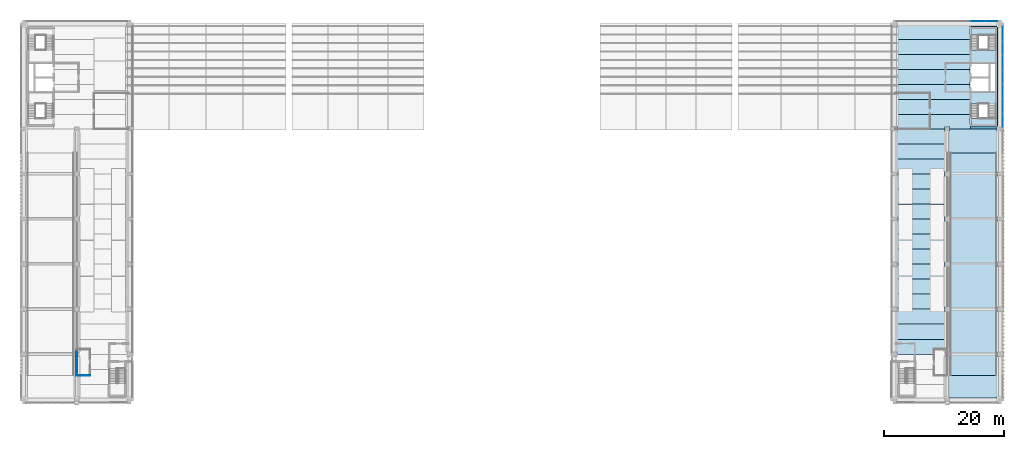
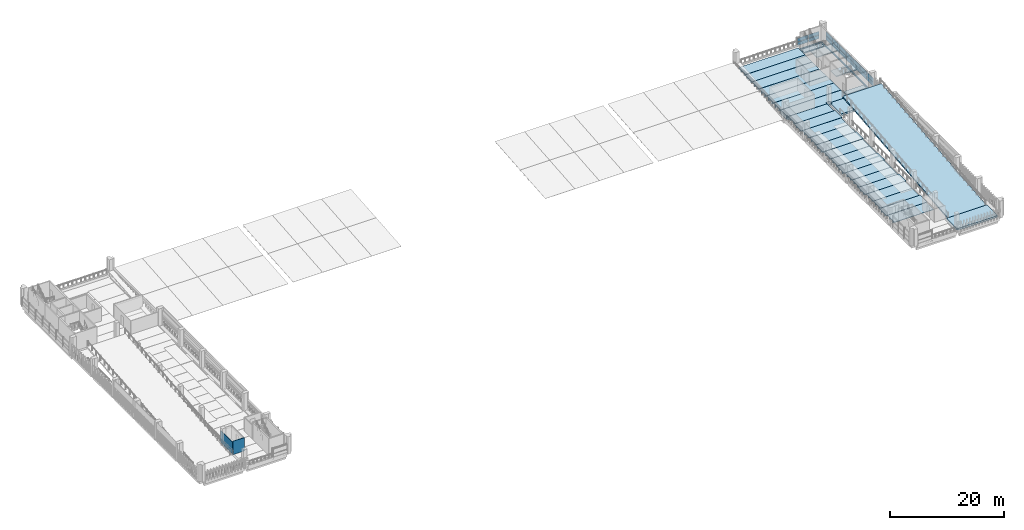
# One storey, part 11 of 24: 30 slabs, 18 plates, 2 walls, 4 elements without a shape of their own.
"""IFC4 building model written with IfcOpenShell, lengths in metres."""

from ifc_helpers import new_model, si_unit, direction, frame, frame_2d, origin, origin_2d, place, context, subcontext, project, spatial, polyline, rectangle, outline, extrude, material, layer, layer_set, material_profile, profile_set, type_object, element, aggregate, save


model = new_model("IFC4")

# Units and contexts
model_context = context("Model", 3, precision=1e-05, world=origin(), true_north=direction((0.0, 1.0)))
body_context = subcontext(model_context, "Body", "Model", "MODEL_VIEW")
ifc_project = project(units=[si_unit("LENGTHUNIT", "METRE"), si_unit("AREAUNIT", "SQUARE_METRE"), si_unit("VOLUMEUNIT", "CUBIC_METRE"), si_unit("PLANEANGLEUNIT", "RADIAN"), si_unit("MASSUNIT", "GRAM", prefix="KILO")], contexts=[model_context])

# Site, building, storey
site_placement = place(None, origin())
site = spatial("IfcSite", under=ifc_project, at=site_placement, CompositionType="ELEMENT")
building_placement = place(site_placement, origin())
building = spatial("IfcBuilding", under=site, at=building_placement, Name="Cour d'Honneur Mobility Palace", CompositionType="ELEMENT")
storey_placement = place(building_placement, frame((0.0, 0.0, 26.699951171875)))
storey = spatial("IfcBuildingStorey", under=building, at=storey_placement, Name="L07", CompositionType="ELEMENT", Elevation=26.699951171875)

# Slabs
ifc_material_1 = material(Name="Concrete C50", Category="concrete")
ifc_layer_1 = layer(ifc_material_1, 0.25)
ifc_layer_set_1 = layer_set([ifc_layer_1], Name="Concrete C50")
slab_type_1 = type_object("IfcSlabType", Name="Cast-in-place Slab 250", PredefinedType="FLOOR", material=ifc_layer_set_1)
slab_1_placement = place(storey_placement, frame((0.0, 0.0, -0.25)))
element("IfcSlab", 1, at=slab_1_placement, inside=storey, type_object=slab_type_1, Name="Cast-in-place slab S1 L07 core", PredefinedType="FLOOR", context=body_context, shape_type="SweptSolid", body=[
    extrude(outline(polyline([(161.89990234375, 62.0), (162.050048828125, 62.0), (162.050048828125, 45.39990234375), (161.89990234375, 45.39990234375), (161.89990234375, 45.0), (157.5, 45.0), (157.5, 45.449951171875), (161.85009765625, 45.449951171875), (161.85009765625, 61.949951171875), (157.5, 61.949951171875), (157.5, 62.125), (161.89990234375, 62.125), (161.89990234375, 62.0)])), origin(), (0.0, 0.0, 1.0), 0.25),
])
slab_2_placement = place(storey_placement, frame((0.0, 0.0, -0.25)))
element("IfcSlab", 2, at=slab_2_placement, inside=storey, type_object=slab_type_1, Name="Cast-in-place slab S1 L07 core", PredefinedType="FLOOR", context=body_context, shape_type="SweptSolid", body=[
    extrude(outline(polyline([(157.625, 46.77490234375), (161.60009765625, 46.77490234375), (161.60009765625, 45.699951171875), (157.625, 45.699951171875), (157.625, 46.77490234375)])), origin(), (0.0, 0.0, 1.0), 0.25),
])
slab_3_placement = place(storey_placement, frame((0.0, 0.0, -0.25)))
element("IfcSlab", 3, at=slab_3_placement, inside=storey, type_object=slab_type_1, Name="Cast-in-place slab S1 L07 core", PredefinedType="FLOOR", context=body_context, shape_type="SweptSolid", body=[
    extrude(outline(polyline([(161.60009765625, 60.625), (157.625, 60.625), (157.625, 61.699951171875), (161.60009765625, 61.699951171875), (161.60009765625, 60.625)])), origin(), (0.0, 0.0, 1.0), 0.25),
])
ifc_material_2 = material(Name="Concrete C50", Category="concrete")
ifc_layer_2 = layer(ifc_material_2, 0.39990234375)
ifc_layer_set_2 = layer_set([ifc_layer_2], Name="Concrete C50")
slab_type_2 = type_object("IfcSlabType", Name="Cast-in-place Slab 400", PredefinedType="LANDING", material=ifc_layer_set_2)
slab_4_placement = place(storey_placement, frame((0.0, 0.0, -0.39990234375)))
element("IfcSlab", 4, at=slab_4_placement, inside=storey, type_object=slab_type_2, Name="Cast-in-place slab S3 L07 landing", PredefinedType="LANDING", context=body_context, shape_type="SweptSolid", body=[
    extrude(outline(polyline([(161.89990234375, 0.39990234375), (161.89990234375, 0.22509765625), (154.0, 0.22509765625), (154.0, 0.39990234375), (153.800048828125, 0.39990234375), (153.800048828125, 4.0), (162.10009765625, 4.0), (162.10009765625, 0.39990234375), (161.89990234375, 0.39990234375)])), origin(), (0.0, 0.0, 1.0), 0.39990234375),
])
slab_5_placement = place(storey_placement, frame((0.0, 0.0, -0.39990234375)))
element("IfcSlab", 5, at=slab_5_placement, inside=storey, type_object=slab_type_2, Name="Cast-in-place slab S3 L07 landing", PredefinedType="LANDING", context=body_context, shape_type="SweptSolid", body=[
    extrude(outline(polyline([(162.10009765625, 44.60009765625), (162.10009765625, 41.0), (153.800048828125, 41.0), (153.800048828125, 44.60009765625), (154.0, 44.60009765625), (154.0, 45.0), (161.89990234375, 45.0), (161.89990234375, 44.60009765625), (162.10009765625, 44.60009765625)])), origin(), (0.0, 0.0, 1.0), 0.39990234375),
])
ifc_material_3 = material(Name="Concrete C50", Category="concrete")
ifc_layer_3 = layer(ifc_material_3, 0.800048828125)
ifc_layer_set_3 = layer_set([ifc_layer_3], Name="Concrete C50")
slab_type_3 = type_object("IfcSlabType", Name="Cast-in-place Slab 800", PredefinedType="FLOOR", material=ifc_layer_set_3)
slab_6_placement = place(storey_placement, frame((0.0, 0.0, -0.800048828125)))
element("IfcSlab", 6, at=slab_6_placement, inside=storey, type_object=slab_type_3, Name="Cast-in-place slab S2 L07 closure", PredefinedType="FLOOR", context=body_context, shape_type="SweptSolid", body=[
    extrude(outline(polyline([(154.0, 45.39990234375), (153.199951171875, 45.39990234375), (153.199951171875, 45.0), (145.300048828125, 45.0), (145.300048828125, 45.39990234375), (145.14990234375, 45.39990234375), (145.14990234375, 47.39990234375), (157.375, 47.39990234375), (157.375, 45.449951171875), (157.5, 45.449951171875), (157.5, 45.0), (154.0, 45.0), (154.0, 45.39990234375)])), origin(), (0.0, 0.0, 1.0), 0.800048828125),
])

# Curtain wall, plates
ifc_material_4 = material(Name="Aluminium and glass", Category="aluminium")
ifc_layer_4 = layer(ifc_material_4, 0.10009765625)
ifc_layer_set_4 = layer_set([ifc_layer_4], Name="Aluminium and glass")
curtain_wall_type = type_object("IfcCurtainWallType", Name="Curtain wall run", PredefinedType="NOTDEFINED", material=ifc_layer_set_4)
curtain_wall_1_placement = place(storey_placement, origin())
curtain_wall_1 = element("IfcCurtainWall", 7, at=curtain_wall_1_placement, inside=storey, type_object=curtain_wall_type, Name="Curtain wall CW-95", PredefinedType="NOTDEFINED")
ifc_material_5 = material(Name="Double glazing", Category="glass")
ifc_layer_5 = layer(ifc_material_5, 0.028076171875)
ifc_layer_set_5 = layer_set([ifc_layer_5], Name="Double glazing")
plate_type = type_object("IfcPlateType", Name="Curtain wall panel", PredefinedType="CURTAIN_PANEL", material=ifc_layer_set_5)
plate_1_placement = place(storey_placement, frame((162.85009765625, 46.514892578125, 0.06005859375), z_axis=(0.0, 0.0, 1.0), x_axis=(0.0, 1.0, 0.0)))
plate_1 = element("IfcPlate", 8, at=plate_1_placement, type_object=plate_type, Name="CW-95 panel 1.1", PredefinedType="CURTAIN_PANEL", context=body_context, shape_type="SweptSolid", body=[
    extrude(rectangle(XDim=2.31005859375, YDim=0.028076171875, at=origin_2d()), origin(), (0.0, 0.0, 1.0), 0.860107421875),
])
plate_2_placement = place(storey_placement, frame((162.85009765625, 46.514892578125, 0.97998046875), z_axis=(0.0, 0.0, 1.0), x_axis=(0.0, 1.0, 0.0)))
plate_2 = element("IfcPlate", 9, at=plate_2_placement, type_object=plate_type, Name="CW-95 panel 1.2", PredefinedType="CURTAIN_PANEL", context=body_context, shape_type="SweptSolid", body=[
    extrude(rectangle(XDim=2.31005859375, YDim=0.028076171875, at=origin_2d()), origin(), (0.0, 0.0, 1.0), 0.860107421875),
])
plate_3_placement = place(storey_placement, frame((162.85009765625, 48.89990234375, 0.06005859375), z_axis=(0.0, 0.0, 1.0), x_axis=(0.0, 1.0, 0.0)))
plate_3 = element("IfcPlate", 10, at=plate_3_placement, type_object=plate_type, Name="CW-95 panel 2.1", PredefinedType="CURTAIN_PANEL", context=body_context, shape_type="SweptSolid", body=[
    extrude(rectangle(XDim=2.340087890625, YDim=0.028076171875, at=origin_2d()), origin(), (0.0, 0.0, 1.0), 0.860107421875),
])
plate_4_placement = place(storey_placement, frame((162.85009765625, 48.89990234375, 0.97998046875), z_axis=(0.0, 0.0, 1.0), x_axis=(0.0, 1.0, 0.0)))
plate_4 = element("IfcPlate", 11, at=plate_4_placement, type_object=plate_type, Name="CW-95 panel 2.2", PredefinedType="CURTAIN_PANEL", context=body_context, shape_type="SweptSolid", body=[
    extrude(rectangle(XDim=2.340087890625, YDim=0.028076171875, at=origin_2d()), origin(), (0.0, 0.0, 1.0), 0.860107421875),
])
plate_5_placement = place(storey_placement, frame((162.85009765625, 51.300048828125, 0.06005859375), z_axis=(0.0, 0.0, 1.0), x_axis=(0.0, 1.0, 0.0)))
plate_5 = element("IfcPlate", 12, at=plate_5_placement, type_object=plate_type, Name="CW-95 panel 3.1", PredefinedType="CURTAIN_PANEL", context=body_context, shape_type="SweptSolid", body=[
    extrude(rectangle(XDim=2.340087890625, YDim=0.028076171875, at=origin_2d()), origin(), (0.0, 0.0, 1.0), 0.860107421875),
])
plate_6_placement = place(storey_placement, frame((162.85009765625, 51.300048828125, 0.97998046875), z_axis=(0.0, 0.0, 1.0), x_axis=(0.0, 1.0, 0.0)))
plate_6 = element("IfcPlate", 13, at=plate_6_placement, type_object=plate_type, Name="CW-95 panel 3.2", PredefinedType="CURTAIN_PANEL", context=body_context, shape_type="SweptSolid", body=[
    extrude(rectangle(XDim=2.340087890625, YDim=0.028076171875, at=origin_2d()), origin(), (0.0, 0.0, 1.0), 0.860107421875),
])
plate_7_placement = place(storey_placement, frame((162.85009765625, 53.699951171875, 0.06005859375), z_axis=(0.0, 0.0, 1.0), x_axis=(0.0, 1.0, 0.0)))
plate_7 = element("IfcPlate", 14, at=plate_7_placement, type_object=plate_type, Name="CW-95 panel 4.1", PredefinedType="CURTAIN_PANEL", context=body_context, shape_type="SweptSolid", body=[
    extrude(rectangle(XDim=2.340087890625, YDim=0.028076171875, at=origin_2d()), origin(), (0.0, 0.0, 1.0), 0.860107421875),
])
plate_8_placement = place(storey_placement, frame((162.85009765625, 53.699951171875, 0.97998046875), z_axis=(0.0, 0.0, 1.0), x_axis=(0.0, 1.0, 0.0)))
plate_8 = element("IfcPlate", 15, at=plate_8_placement, type_object=plate_type, Name="CW-95 panel 4.2", PredefinedType="CURTAIN_PANEL", context=body_context, shape_type="SweptSolid", body=[
    extrude(rectangle(XDim=2.340087890625, YDim=0.028076171875, at=origin_2d()), origin(), (0.0, 0.0, 1.0), 0.860107421875),
])
plate_9_placement = place(storey_placement, frame((162.85009765625, 56.10009765625, 0.06005859375), z_axis=(0.0, 0.0, 1.0), x_axis=(0.0, 1.0, 0.0)))
plate_9 = element("IfcPlate", 16, at=plate_9_placement, type_object=plate_type, Name="CW-95 panel 5.1", PredefinedType="CURTAIN_PANEL", context=body_context, shape_type="SweptSolid", body=[
    extrude(rectangle(XDim=2.340087890625, YDim=0.028076171875, at=origin_2d()), origin(), (0.0, 0.0, 1.0), 0.860107421875),
])
plate_10_placement = place(storey_placement, frame((162.85009765625, 56.10009765625, 0.97998046875), z_axis=(0.0, 0.0, 1.0), x_axis=(0.0, 1.0, 0.0)))
plate_10 = element("IfcPlate", 17, at=plate_10_placement, type_object=plate_type, Name="CW-95 panel 5.2", PredefinedType="CURTAIN_PANEL", context=body_context, shape_type="SweptSolid", body=[
    extrude(rectangle(XDim=2.340087890625, YDim=0.028076171875, at=origin_2d()), origin(), (0.0, 0.0, 1.0), 0.860107421875),
])
plate_11_placement = place(storey_placement, frame((162.85009765625, 58.5, 0.06005859375), z_axis=(0.0, 0.0, 1.0), x_axis=(0.0, 1.0, 0.0)))
plate_11 = element("IfcPlate", 18, at=plate_11_placement, type_object=plate_type, Name="CW-95 panel 6.1", PredefinedType="CURTAIN_PANEL", context=body_context, shape_type="SweptSolid", body=[
    extrude(rectangle(XDim=2.340087890625, YDim=0.028076171875, at=origin_2d()), origin(), (0.0, 0.0, 1.0), 0.860107421875),
])
plate_12_placement = place(storey_placement, frame((162.85009765625, 58.5, 0.97998046875), z_axis=(0.0, 0.0, 1.0), x_axis=(0.0, 1.0, 0.0)))
plate_12 = element("IfcPlate", 19, at=plate_12_placement, type_object=plate_type, Name="CW-95 panel 6.2", PredefinedType="CURTAIN_PANEL", context=body_context, shape_type="SweptSolid", body=[
    extrude(rectangle(XDim=2.340087890625, YDim=0.028076171875, at=origin_2d()), origin(), (0.0, 0.0, 1.0), 0.860107421875),
])
plate_13_placement = place(storey_placement, frame((162.85009765625, 60.885009765625, 0.06005859375), z_axis=(0.0, 0.0, 1.0), x_axis=(0.0, 1.0, 0.0)))
plate_13 = element("IfcPlate", 20, at=plate_13_placement, type_object=plate_type, Name="CW-95 panel 7.1", PredefinedType="CURTAIN_PANEL", context=body_context, shape_type="SweptSolid", body=[
    extrude(rectangle(XDim=2.31005859375, YDim=0.028076171875, at=origin_2d()), origin(), (0.0, 0.0, 1.0), 0.860107421875),
])
plate_14_placement = place(storey_placement, frame((162.85009765625, 60.885009765625, 0.97998046875), z_axis=(0.0, 0.0, 1.0), x_axis=(0.0, 1.0, 0.0)))
plate_14 = element("IfcPlate", 21, at=plate_14_placement, type_object=plate_type, Name="CW-95 panel 7.2", PredefinedType="CURTAIN_PANEL", context=body_context, shape_type="SweptSolid", body=[
    extrude(rectangle(XDim=2.31005859375, YDim=0.028076171875, at=origin_2d()), origin(), (0.0, 0.0, 1.0), 0.860107421875),
])
aggregate(curtain_wall_1, [plate_1, plate_2, plate_3, plate_4, plate_5, plate_6, plate_7, plate_8, plate_9, plate_10, plate_11, plate_12, plate_13, plate_14])

curtain_wall_2_placement = place(storey_placement, origin())
curtain_wall_2 = element("IfcCurtainWall", 22, at=curtain_wall_2_placement, inside=storey, type_object=curtain_wall_type, Name="Curtain wall CW-96", PredefinedType="NOTDEFINED")
plate_15_placement = place(storey_placement, frame((160.860107421875, 62.949951171875, 0.06005859375), z_axis=(0.0, 0.0, 1.0), x_axis=(-1.0, 0.0, 0.0)))
plate_15 = element("IfcPlate", 23, at=plate_15_placement, type_object=plate_type, Name="CW-96 panel 1.1", PredefinedType="CURTAIN_PANEL", context=body_context, shape_type="SweptSolid", body=[
    extrude(rectangle(XDim=2.159912109375, YDim=0.028076171875, at=origin_2d()), origin(), (0.0, 0.0, 1.0), 0.760009765625),
])
plate_16_placement = place(storey_placement, frame((160.860107421875, 62.949951171875, 0.8798828125), z_axis=(0.0, 0.0, 1.0), x_axis=(-1.0, 0.0, 0.0)))
plate_16 = element("IfcPlate", 24, at=plate_16_placement, type_object=plate_type, Name="CW-96 panel 1.2", PredefinedType="CURTAIN_PANEL", context=body_context, shape_type="SweptSolid", body=[
    extrude(rectangle(XDim=2.159912109375, YDim=0.028076171875, at=origin_2d()), origin(), (0.0, 0.0, 1.0), 0.760009765625),
])
plate_17_placement = place(storey_placement, frame((158.639892578125, 62.949951171875, 0.06005859375), z_axis=(0.0, 0.0, 1.0), x_axis=(-1.0, 0.0, 0.0)))
plate_17 = element("IfcPlate", 25, at=plate_17_placement, type_object=plate_type, Name="CW-96 panel 2.1", PredefinedType="CURTAIN_PANEL", context=body_context, shape_type="SweptSolid", body=[
    extrude(rectangle(XDim=2.159912109375, YDim=0.028076171875, at=origin_2d()), origin(), (0.0, 0.0, 1.0), 0.760009765625),
])
plate_18_placement = place(storey_placement, frame((158.639892578125, 62.949951171875, 0.8798828125), z_axis=(0.0, 0.0, 1.0), x_axis=(-1.0, 0.0, 0.0)))
plate_18 = element("IfcPlate", 26, at=plate_18_placement, type_object=plate_type, Name="CW-96 panel 2.2", PredefinedType="CURTAIN_PANEL", context=body_context, shape_type="SweptSolid", body=[
    extrude(rectangle(XDim=2.159912109375, YDim=0.028076171875, at=origin_2d()), origin(), (0.0, 0.0, 1.0), 0.760009765625),
])
aggregate(curtain_wall_2, [plate_15, plate_16, plate_17, plate_18])

# Slabs
ifc_material_6 = material(Name="Concrete C45", Category="concrete")
ifc_material_profile_1 = material_profile(ifc_material_6, outline(polyline([(-1.2451171875, 0.0), (1.2451171875, 0.0), (1.2451171875, -0.10009765625), (0.669921875, -0.10009765625), (0.64501953125, -0.5), (0.554931640625, -0.5), (0.530029296875, -0.10009765625), (-0.530029296875, -0.10009765625), (-0.554931640625, -0.5), (-0.64501953125, -0.5), (-0.669921875, -0.10009765625), (-1.2451171875, -0.10009765625), (-1.2451171875, 0.0)])), Name="DT 2490x500")
ifc_profile_set_1 = profile_set([ifc_material_profile_1], Name="Concrete C45")
slab_type_4 = type_object("IfcSlabType", Name="DT 2490x500", PredefinedType="FLOOR", material=ifc_profile_set_1)
slab_7_placement = place(storey_placement, frame((145.300048828125, 8.75, 0.0), z_axis=(1.0, 0.0, 0.0), x_axis=(0.0, 1.0, 0.0)))
element("IfcSlab", 27, at=slab_7_placement, inside=storey, type_object=slab_type_4, Name="Double tee DT-SE4 L07", PredefinedType="FLOOR", context=body_context, shape_type="SweptSolid", body=[
    extrude(outline(polyline([(-1.2451171875, 0.0), (1.2451171875, 0.0), (1.2451171875, -0.10009765625), (0.669921875, -0.10009765625), (0.64501953125, -0.5), (0.554931640625, -0.5), (0.530029296875, -0.10009765625), (-0.530029296875, -0.10009765625), (-0.554931640625, -0.5), (-0.64501953125, -0.5), (-0.669921875, -0.10009765625), (-1.2451171875, -0.10009765625), (-1.2451171875, 0.0)])), origin(), (0.0, 0.0, 1.0), 7.89990234375),
])
slab_8_placement = place(storey_placement, frame((145.10009765625, 11.25, 0.0), z_axis=(1.0, 0.0, 0.0), x_axis=(0.0, 1.0, 0.0)))
element("IfcSlab", 28, at=slab_8_placement, inside=storey, type_object=slab_type_4, Name="Double tee DT-SE5 L07", PredefinedType="FLOOR", context=body_context, shape_type="SweptSolid", body=[
    extrude(outline(polyline([(-1.2451171875, 0.0), (1.2451171875, 0.0), (1.2451171875, -0.10009765625), (0.669921875, -0.10009765625), (0.64501953125, -0.5), (0.554931640625, -0.5), (0.530029296875, -0.10009765625), (-0.530029296875, -0.10009765625), (-0.554931640625, -0.5), (-0.64501953125, -0.5), (-0.669921875, -0.10009765625), (-1.2451171875, -0.10009765625), (-1.2451171875, 0.0)])), origin(), (0.0, 0.0, 1.0), 8.2998046875),
])
for number, where, z_axis, x_axis, name in (
    (29, (145.300048828125, 13.75, 0.0), (1.0, 0.0, 0.0), (0.0, 1.0, 0.0), "Double tee DT-SE6 L07"),
    (30, (145.300048828125, 16.25, 0.0), (1.0, 0.0, 0.0), (0.0, 1.0, 0.0), "Double tee DT-SE7 L07"),
):
    element("IfcSlab", number, at=place(storey_placement, frame(where, z_axis=z_axis, x_axis=x_axis)), inside=storey, type_object=slab_type_4, Name=name, PredefinedType="FLOOR", context=body_context, shape_type="SweptSolid", body=[
        extrude(outline(polyline([(-1.2451171875, 0.0), (1.2451171875, 0.0), (1.2451171875, -0.10009765625), (0.669921875, -0.10009765625), (0.64501953125, -0.5), (0.554931640625, -0.5), (0.530029296875, -0.10009765625), (-0.530029296875, -0.10009765625), (-0.554931640625, -0.5), (-0.64501953125, -0.5), (-0.669921875, -0.10009765625), (-1.2451171875, -0.10009765625), (-1.2451171875, 0.0)])), origin(), (0.0, 0.0, 1.0), 7.89990234375),
    ])
slab_9_placement = place(storey_placement, frame((145.10009765625, 18.75, 0.0), z_axis=(1.0, 0.0, 0.0), x_axis=(0.0, 1.0, 0.0)))
element("IfcSlab", 31, at=slab_9_placement, inside=storey, type_object=slab_type_4, Name="Double tee DT-SE8 L07", PredefinedType="FLOOR", context=body_context, shape_type="SweptSolid", body=[
    extrude(outline(polyline([(-1.2451171875, 0.0), (1.2451171875, 0.0), (1.2451171875, -0.10009765625), (0.669921875, -0.10009765625), (0.64501953125, -0.5), (0.554931640625, -0.5), (0.530029296875, -0.10009765625), (-0.530029296875, -0.10009765625), (-0.554931640625, -0.5), (-0.64501953125, -0.5), (-0.669921875, -0.10009765625), (-1.2451171875, -0.10009765625), (-1.2451171875, 0.0)])), origin(), (0.0, 0.0, 1.0), 8.2998046875),
])
for number, where, z_axis, x_axis, name in (
    (32, (145.300048828125, 21.25, 0.0), (1.0, 0.0, 0.0), (0.0, 1.0, 0.0), "Double tee DT-SE9 L07"),
    (33, (145.300048828125, 23.75, 0.0), (1.0, 0.0, 0.0), (0.0, 1.0, 0.0), "Double tee DT-SE10 L07"),
):
    element("IfcSlab", number, at=place(storey_placement, frame(where, z_axis=z_axis, x_axis=x_axis)), inside=storey, type_object=slab_type_4, Name=name, PredefinedType="FLOOR", context=body_context, shape_type="SweptSolid", body=[
        extrude(outline(polyline([(-1.2451171875, 0.0), (1.2451171875, 0.0), (1.2451171875, -0.10009765625), (0.669921875, -0.10009765625), (0.64501953125, -0.5), (0.554931640625, -0.5), (0.530029296875, -0.10009765625), (-0.530029296875, -0.10009765625), (-0.554931640625, -0.5), (-0.64501953125, -0.5), (-0.669921875, -0.10009765625), (-1.2451171875, -0.10009765625), (-1.2451171875, 0.0)])), origin(), (0.0, 0.0, 1.0), 7.89990234375),
    ])
slab_10_placement = place(storey_placement, frame((145.10009765625, 26.25, 0.0), z_axis=(1.0, 0.0, 0.0), x_axis=(0.0, 1.0, 0.0)))
element("IfcSlab", 34, at=slab_10_placement, inside=storey, type_object=slab_type_4, Name="Double tee DT-SE11 L07", PredefinedType="FLOOR", context=body_context, shape_type="SweptSolid", body=[
    extrude(outline(polyline([(-1.2451171875, 0.0), (1.2451171875, 0.0), (1.2451171875, -0.10009765625), (0.669921875, -0.10009765625), (0.64501953125, -0.5), (0.554931640625, -0.5), (0.530029296875, -0.10009765625), (-0.530029296875, -0.10009765625), (-0.554931640625, -0.5), (-0.64501953125, -0.5), (-0.669921875, -0.10009765625), (-1.2451171875, -0.10009765625), (-1.2451171875, 0.0)])), origin(), (0.0, 0.0, 1.0), 8.2998046875),
])
for number, where, z_axis, x_axis, name in (
    (35, (145.300048828125, 28.75, 0.0), (1.0, 0.0, 0.0), (0.0, 1.0, 0.0), "Double tee DT-SE12 L07"),
    (36, (145.300048828125, 31.25, 0.0), (1.0, 0.0, 0.0), (0.0, 1.0, 0.0), "Double tee DT-SE13 L07"),
):
    element("IfcSlab", number, at=place(storey_placement, frame(where, z_axis=z_axis, x_axis=x_axis)), inside=storey, type_object=slab_type_4, Name=name, PredefinedType="FLOOR", context=body_context, shape_type="SweptSolid", body=[
        extrude(outline(polyline([(-1.2451171875, 0.0), (1.2451171875, 0.0), (1.2451171875, -0.10009765625), (0.669921875, -0.10009765625), (0.64501953125, -0.5), (0.554931640625, -0.5), (0.530029296875, -0.10009765625), (-0.530029296875, -0.10009765625), (-0.554931640625, -0.5), (-0.64501953125, -0.5), (-0.669921875, -0.10009765625), (-1.2451171875, -0.10009765625), (-1.2451171875, 0.0)])), origin(), (0.0, 0.0, 1.0), 7.89990234375),
    ])
slab_11_placement = place(storey_placement, frame((145.10009765625, 33.75, 0.0), z_axis=(1.0, 0.0, 0.0), x_axis=(0.0, 1.0, 0.0)))
element("IfcSlab", 37, at=slab_11_placement, inside=storey, type_object=slab_type_4, Name="Double tee DT-SE14 L07", PredefinedType="FLOOR", context=body_context, shape_type="SweptSolid", body=[
    extrude(outline(polyline([(-1.2451171875, 0.0), (1.2451171875, 0.0), (1.2451171875, -0.10009765625), (0.669921875, -0.10009765625), (0.64501953125, -0.5), (0.554931640625, -0.5), (0.530029296875, -0.10009765625), (-0.530029296875, -0.10009765625), (-0.554931640625, -0.5), (-0.64501953125, -0.5), (-0.669921875, -0.10009765625), (-1.2451171875, -0.10009765625), (-1.2451171875, 0.0)])), origin(), (0.0, 0.0, 1.0), 8.2998046875),
])
for number, where, z_axis, x_axis, name in (
    (38, (145.300048828125, 36.25, 0.0), (1.0, 0.0, 0.0), (0.0, 1.0, 0.0), "Double tee DT-SE15 L07"),
    (39, (145.300048828125, 38.75, 0.0), (1.0, 0.0, 0.0), (0.0, 1.0, 0.0), "Double tee DT-SE16 L07"),
):
    element("IfcSlab", number, at=place(storey_placement, frame(where, z_axis=z_axis, x_axis=x_axis)), inside=storey, type_object=slab_type_4, Name=name, PredefinedType="FLOOR", context=body_context, shape_type="SweptSolid", body=[
        extrude(outline(polyline([(-1.2451171875, 0.0), (1.2451171875, 0.0), (1.2451171875, -0.10009765625), (0.669921875, -0.10009765625), (0.64501953125, -0.5), (0.554931640625, -0.5), (0.530029296875, -0.10009765625), (-0.530029296875, -0.10009765625), (-0.554931640625, -0.5), (-0.64501953125, -0.5), (-0.669921875, -0.10009765625), (-1.2451171875, -0.10009765625), (-1.2451171875, 0.0)])), origin(), (0.0, 0.0, 1.0), 7.89990234375),
    ])
slab_12_placement = place(storey_placement, frame((145.10009765625, 41.25, 0.0), z_axis=(1.0, 0.0, 0.0), x_axis=(0.0, 1.0, 0.0)))
element("IfcSlab", 40, at=slab_12_placement, inside=storey, type_object=slab_type_4, Name="Double tee DT-SE17 L07", PredefinedType="FLOOR", context=body_context, shape_type="SweptSolid", body=[
    extrude(outline(polyline([(-1.2451171875, 0.0), (1.2451171875, 0.0), (1.2451171875, -0.10009765625), (0.669921875, -0.10009765625), (0.64501953125, -0.5), (0.554931640625, -0.5), (0.530029296875, -0.10009765625), (-0.530029296875, -0.10009765625), (-0.554931640625, -0.5), (-0.64501953125, -0.5), (-0.669921875, -0.10009765625), (-1.2451171875, -0.10009765625), (-1.2451171875, 0.0)])), origin(), (0.0, 0.0, 1.0), 8.2998046875),
])
slab_13_placement = place(storey_placement, frame((145.300048828125, 43.75, 0.0), z_axis=(1.0, 0.0, 0.0), x_axis=(0.0, 1.0, 0.0)))
element("IfcSlab", 41, at=slab_13_placement, inside=storey, type_object=slab_type_4, Name="Double tee DT-SE18 L07", PredefinedType="FLOOR", context=body_context, shape_type="SweptSolid", body=[
    extrude(outline(polyline([(-1.2451171875, 0.0), (1.2451171875, 0.0), (1.2451171875, -0.10009765625), (0.669921875, -0.10009765625), (0.64501953125, -0.5), (0.554931640625, -0.5), (0.530029296875, -0.10009765625), (-0.530029296875, -0.10009765625), (-0.554931640625, -0.5), (-0.64501953125, -0.5), (-0.669921875, -0.10009765625), (-1.2451171875, -0.10009765625), (-1.2451171875, 0.0)])), origin(), (0.0, 0.0, 1.0), 7.89990234375),
])
ifc_material_7 = material(Name="Concrete C45", Category="concrete")
ifc_material_profile_2 = material_profile(ifc_material_7, outline(polyline([(-1.2451171875, 0.0), (1.2451171875, 0.0), (1.2451171875, -0.10009765625), (0.679931640625, -0.10009765625), (0.64990234375, -0.64990234375), (0.550048828125, -0.64990234375), (0.52001953125, -0.10009765625), (-0.52001953125, -0.10009765625), (-0.550048828125, -0.64990234375), (-0.64990234375, -0.64990234375), (-0.679931640625, -0.10009765625), (-1.2451171875, -0.10009765625), (-1.2451171875, 0.0)])), Name="DT 2490x650")
ifc_profile_set_2 = profile_set([ifc_material_profile_2], Name="Concrete C45")
slab_type_5 = type_object("IfcSlabType", Name="DT 2490x650", PredefinedType="FLOOR", material=ifc_profile_set_2)
for number, where, z_axis, x_axis, name in (
    (42, (145.14990234375, 48.64990234375, 0.0), (1.0, 0.0, 0.0), (0.0, 1.0, 0.0), "Double tee DT-JE1 L07"),
    (43, (145.14990234375, 51.14990234375, 0.0), (1.0, 0.0, 0.0), (0.0, 1.0, 0.0), "Double tee DT-JE2 L07"),
    (44, (145.14990234375, 53.64990234375, 0.0), (1.0, 0.0, 0.0), (0.0, 1.0, 0.0), "Double tee DT-JE3 L07"),
    (45, (145.14990234375, 56.14990234375, 0.0), (1.0, 0.0, 0.0), (0.0, 1.0, 0.0), "Double tee DT-JE4 L07"),
    (46, (145.14990234375, 58.64990234375, 0.0), (1.0, 0.0, 0.0), (0.0, 1.0, 0.0), "Double tee DT-JE5 L07"),
):
    element("IfcSlab", number, at=place(storey_placement, frame(where, z_axis=z_axis, x_axis=x_axis)), inside=storey, type_object=slab_type_5, Name=name, PredefinedType="FLOOR", context=body_context, shape_type="SweptSolid", body=[
        extrude(outline(polyline([(-1.2451171875, 0.0), (1.2451171875, 0.0), (1.2451171875, -0.10009765625), (0.679931640625, -0.10009765625), (0.64990234375, -0.64990234375), (0.550048828125, -0.64990234375), (0.52001953125, -0.10009765625), (-0.52001953125, -0.10009765625), (-0.550048828125, -0.64990234375), (-0.64990234375, -0.64990234375), (-0.679931640625, -0.10009765625), (-1.2451171875, -0.10009765625), (-1.2451171875, 0.0)])), origin(), (0.0, 0.0, 1.0), 12.22509765625),
    ])
slab_14_placement = place(storey_placement, frame((145.300048828125, 61.14990234375, 0.0), z_axis=(1.0, 0.0, 0.0), x_axis=(0.0, 1.0, 0.0)))
element("IfcSlab", 47, at=slab_14_placement, inside=storey, type_object=slab_type_5, Name="Double tee DT-JE6 L07", PredefinedType="FLOOR", context=body_context, shape_type="SweptSolid", body=[
    extrude(outline(polyline([(-1.2451171875, 0.0), (1.2451171875, 0.0), (1.2451171875, -0.10009765625), (0.679931640625, -0.10009765625), (0.64990234375, -0.64990234375), (0.550048828125, -0.64990234375), (0.52001953125, -0.10009765625), (-0.52001953125, -0.10009765625), (-0.550048828125, -0.64990234375), (-0.64990234375, -0.64990234375), (-0.679931640625, -0.10009765625), (-1.2451171875, -0.10009765625), (-1.2451171875, 0.0)])), origin(), (0.0, 0.0, 1.0), 12.074951171875),
])

# Stair, slab
ifc_material_8 = material(Name="Concrete C50", Category="concrete")
stair_type = type_object("IfcStairType", Name="Stair 20 risers", PredefinedType="HALF_TURN_STAIR", material=ifc_material_8)
stair_1_placement = place(storey_placement, origin())
stair_1 = element("IfcStair", 48, at=stair_1_placement, inside=storey, type_object=stair_type, Name="Stair ST-CE1", PredefinedType="HALF_TURN_STAIR")
ifc_material_9 = material(Name="Concrete C50", Category="concrete")
ifc_layer_6 = layer(ifc_material_9, 0.199951171875)
ifc_layer_set_6 = layer_set([ifc_layer_6], Name="Concrete C50")
slab_type_6 = type_object("IfcSlabType", Name="Stair landing", PredefinedType="LANDING", material=ifc_layer_set_6)
slab_15_placement = place(storey_placement, frame((0.0, 0.0, 1.650146484375)))
slab_15 = element("IfcSlab", 49, at=slab_15_placement, type_object=slab_type_6, Name="ST-CE1 landing 1", PredefinedType="LANDING", context=body_context, shape_type="SweptSolid", body=[
    extrude(outline(polyline([(157.5, 49.205078125), (161.72509765625, 49.205078125), (161.72509765625, 51.199951171875), (157.5, 51.199951171875), (157.5, 49.205078125)])), origin(), (0.0, 0.0, 1.0), 0.199951171875),
])
aggregate(stair_1, [slab_15])

stair_2_placement = place(storey_placement, origin())
stair_2 = element("IfcStair", 50, at=stair_2_placement, inside=storey, type_object=stair_type, Name="Stair ST-CE2", PredefinedType="HALF_TURN_STAIR")
slab_16_placement = place(storey_placement, frame((0.0, 0.0, 1.650146484375)))
slab_16 = element("IfcSlab", 51, at=slab_16_placement, type_object=slab_type_6, Name="ST-CE2 landing 1", PredefinedType="LANDING", context=body_context, shape_type="SweptSolid", body=[
    extrude(outline(polyline([(157.5, 56.0), (161.72509765625, 56.0), (161.72509765625, 58.195068359375), (157.5, 58.195068359375), (157.5, 56.0)])), origin(), (0.0, 0.0, 1.0), 0.199951171875),
])
aggregate(stair_2, [slab_16])

# Slab
ifc_material_10 = material(Name="Concrete C45", Category="concrete")
ifc_layer_7 = layer(ifc_material_10, 0.300048828125)
ifc_layer_set_7 = layer_set([ifc_layer_7], Name="Concrete C45")
slab_type_7 = type_object("IfcSlabType", Name="Vehicle ramp slab 300", PredefinedType="USERDEFINED", material=ifc_layer_set_7)
slab_17_placement = place(storey_placement, frame((154.10009765625, 4.0, 0.0), z_axis=(0.0, -0.099502418892, 0.995037320222), x_axis=(1.0, 0.0, 0.0)))
element("IfcSlab", 52, at=slab_17_placement, inside=storey, type_object=slab_type_7, Name="Vehicle ramp East 8 slab", ObjectType="VEHICLE RAMP SLAB", PredefinedType="USERDEFINED", context=body_context, shape_type="SweptSolid", body=[
    extrude(outline(polyline([(0.0, 0.0), (7.849853515625, 0.0), (7.849853515625, 37.184534939599004), (0.0, 37.184534939599004), (0.0, 0.0)])), origin(), (0.0, 0.0, -1.0), 0.300048828125),
])

# Walls
ifc_material_11 = material(Name="Gypsum plasterboard")
ifc_layer_8 = layer(ifc_material_11, 0.10009765625)
ifc_layer_set_8 = layer_set([ifc_layer_8], Name="Gypsum plasterboard")
wall_type_1 = type_object("IfcWallType", Name="Partition 100", PredefinedType="PARTITIONING", material=ifc_layer_set_8)
wall_1_placement = place(storey_placement, frame((8.64990234375, 4.0, 0.0), z_axis=(0.0, 0.0, 1.0), x_axis=(1.0, 0.0, 0.0)))
element("IfcWall", 53, at=wall_1_placement, inside=storey, type_object=wall_type_1, Name="Partition 001", PredefinedType="PARTITIONING", context=body_context, shape_type="SweptSolid", body=[
    extrude(rectangle(XDim=2.300048828125, YDim=0.10009765625, at=frame_2d((1.14990234375, 0.0))), origin(), (0.0, 0.0, 1.0), 2.880126953125),
])
ifc_material_12 = material(Name="Gypsum plasterboard")
ifc_layer_9 = layer(ifc_material_12, 0.10009765625)
ifc_layer_set_9 = layer_set([ifc_layer_9], Name="Gypsum plasterboard")
wall_type_2 = type_object("IfcWallType", Name="Partition 100 under beam 1100", PredefinedType="PARTITIONING", material=ifc_layer_set_9)
wall_2_placement = place(storey_placement, frame((8.699951171875, 8.300048828125, 0.0), z_axis=(0.0, 0.0, 1.0), x_axis=(0.0, -1.0, 0.0)))
element("IfcWall", 54, at=wall_2_placement, inside=storey, type_object=wall_type_2, Name="Partition 008", PredefinedType="PARTITIONING", context=body_context, shape_type="SweptSolid", body=[
    extrude(rectangle(XDim=4.25, YDim=0.10009765625, at=frame_2d((2.125, 0.0))), origin(), (0.0, 0.0, 1.0), 2.60009765625),
])

save(model, "model.ifc")
